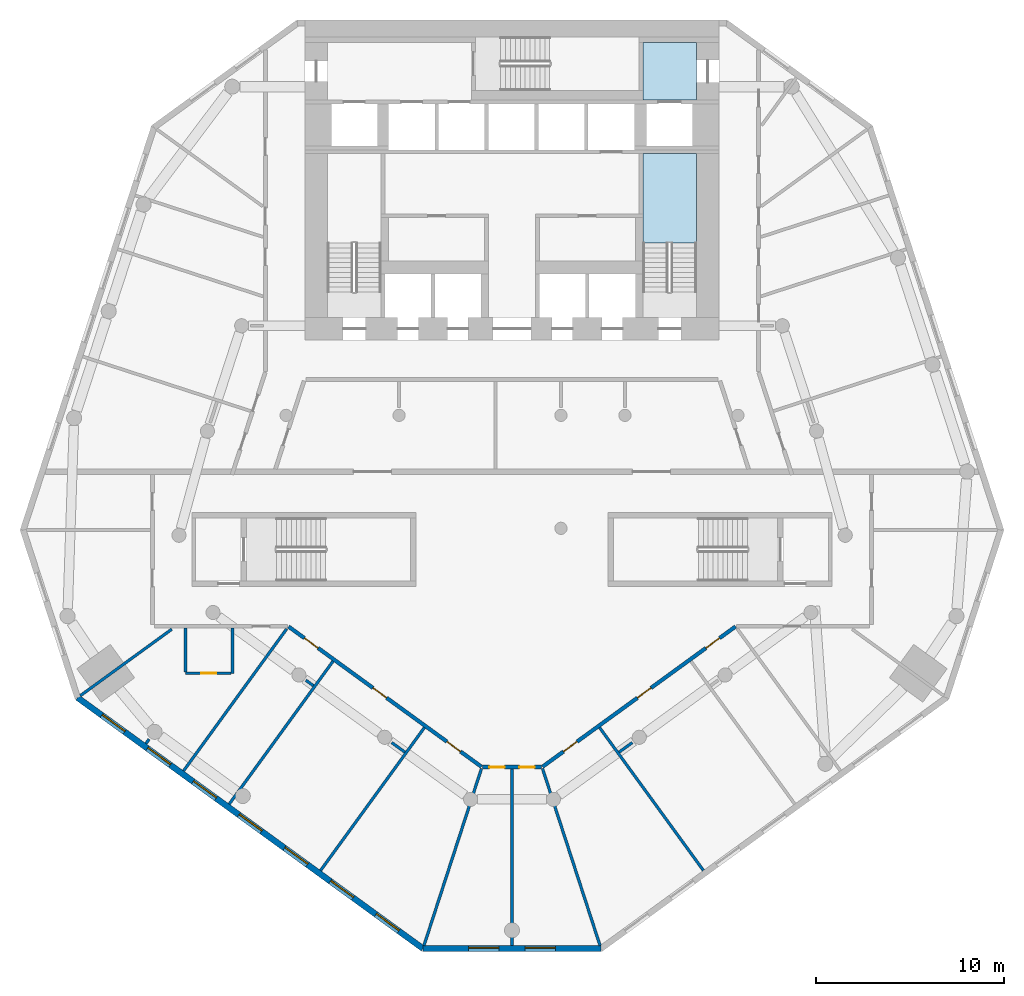
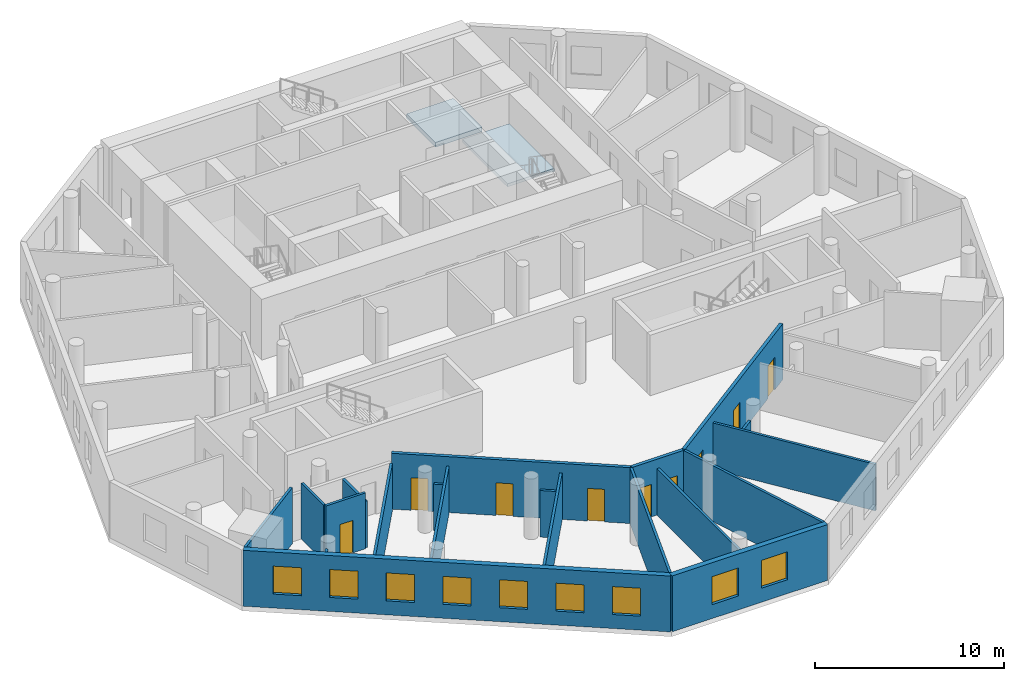
# One storey, part 2 of 9: 20 walls, 9 doors, 9 windows, 2 slabs, 18 openings, 1 element without a shape of its own.
"""IFC4 building model written with IfcOpenShell, lengths in metres."""

from ifc_helpers import new_model, si_unit, direction, frame, frame_2d, origin, place, context, subcontext, project, spatial, polyline, rectangle, outline, extrude, material, layer, layer_set, type_object, element, fill, aggregate, save


model = new_model("IFC4")

# Units and contexts
model_context = context("Model", 3, precision=1e-05, world=origin(), true_north=direction((0.0, 1.0)))
body_context = subcontext(model_context, "Body", "Model", "MODEL_VIEW")
ifc_project = project(units=[si_unit("LENGTHUNIT", "METRE"), si_unit("AREAUNIT", "SQUARE_METRE"), si_unit("VOLUMEUNIT", "CUBIC_METRE"), si_unit("PLANEANGLEUNIT", "RADIAN"), si_unit("MASSUNIT", "GRAM", prefix="KILO")], contexts=[model_context])

# Site, building, storey
site_placement = place(None, origin())
site = spatial("IfcSite", under=ifc_project, at=site_placement, CompositionType="ELEMENT")
building_placement = place(site_placement, origin())
building = spatial("IfcBuilding", under=site, at=building_placement, Name="White Candle Pilgrim Tower", CompositionType="ELEMENT")
storey_placement = place(building_placement, frame((0.0, 0.0, 70.199951171875)))
storey = spatial("IfcBuildingStorey", under=building, at=storey_placement, Name="L14", CompositionType="ELEMENT", Elevation=70.199951171875)

# Slab
ifc_material_1 = material(Name="Concrete C40/50", Category="concrete")
ifc_layer_1 = layer(ifc_material_1, 0.300048828125)
ifc_layer_set_1 = layer_set([ifc_layer_1], Name="Core floor slab 300 mm Concrete C40/50")
slab_type_1 = type_object("IfcSlabType", Name="Core floor slab 300 mm Concrete C40/50", PredefinedType="FLOOR", material=ifc_layer_set_1)
slab_1_placement = place(storey_placement, frame((0.0, 0.0, -0.300048828125)))
element("IfcSlab", 1, at=slab_1_placement, inside=storey, type_object=slab_type_1, Name="CF-L14-06", PredefinedType="FLOOR", context=body_context, shape_type="SweptSolid", body=[
    extrude(outline(polyline([(79.800048828125, 86.800048828125), (79.800048828125, 83.75), (76.949951171875, 83.75), (76.949951171875, 84.25), (76.949951171875, 86.800048828125), (79.800048828125, 86.800048828125)])), origin(), (0.0, 0.0, 1.0), 0.300048828125),
])

# Stair, slab
stair_type = type_object("IfcStairType", Name="Exit stair 2 flight width 1350 mm", PredefinedType="HALF_TURN_STAIR", material=ifc_material_1)
stair_placement = place(storey_placement, origin())
stair = element("IfcStair", 2, at=stair_placement, inside=storey, type_object=stair_type, Name="L14 stair 2", PredefinedType="NOTDEFINED")
ifc_layer_2 = layer(ifc_material_1, 0.199951171875)
ifc_layer_set_2 = layer_set([ifc_layer_2], Name="Stair landing Concrete C40/50")
slab_type_2 = type_object("IfcSlabType", Name="Stair landing Concrete C40/50", PredefinedType="LANDING", material=ifc_layer_set_2)
slab_2_placement = place(storey_placement, frame((0.0, 0.0, 1.75)))
slab_2 = element("IfcSlab", 3, at=slab_2_placement, type_object=slab_type_2, Name="ST2 landing 1", PredefinedType="LANDING", context=body_context, shape_type="SweptSolid", body=[
    extrude(outline(polyline([(79.802001953125, 76.14794921875), (76.947998046875, 76.14794921875), (76.947998046875, 80.902099609375), (79.802001953125, 80.902099609375), (79.802001953125, 76.14794921875)])), origin(), (0.0, 0.0, 1.0), 0.199951171875),
])
aggregate(stair, [slab_2])

# Wall, openings, doors
ifc_material_2 = material(Name="Gypsum board on steel studs", Category="steel")
ifc_layer_3 = layer(ifc_material_2, 0.199951171875)
ifc_layer_set_3 = layer_set([ifc_layer_3], Name="Corridor wall 200 mm EI 45")
wall_type_1 = type_object("IfcWallType", Name="Corridor wall 200 mm EI 45", PredefinedType="PARTITIONING", material=ifc_layer_set_3)
wall_1_placement = place(storey_placement, frame((81.87060546875, 55.781005859375, 0.0), z_axis=(0.0, 0.0, 1.0), x_axis=(-0.80902019439, -0.587780847825, 0.0)))
wall_1 = element("IfcWall", 4, at=wall_1_placement, inside=storey, type_object=wall_type_1, Name="WL-L14-P008", PredefinedType="PARTITIONING", context=body_context, shape_type="SweptSolid", body=[
    extrude(rectangle(XDim=12.667236328125, YDim=0.199951171875, at=frame_2d((6.33349609375, 0.0))), origin(), (0.0, 0.0, 1.0), 3.60009765625),
])
opening_1_placement = place(wall_1_placement, frame((10.396484375, 0.0, 0.0)))
opening_1 = element("IfcOpeningElement", 5, at=opening_1_placement, cuts=wall_1, Name="Opening T04-109", PredefinedType="OPENING", context=body_context, shape_type="SweptSolid", body=[
    extrude(rectangle(XDim=0.89990234375, YDim=2.10009765625, at=frame_2d((0.449951171875, 1.050048828125))), frame((0.0, 0.10986328125, 0.0), z_axis=(0.0, -1.0, 0.0), x_axis=(1.0, 0.0, 0.0)), (0.0, 0.0, 1.0), 0.219970703125),
])
opening_2_placement = place(wall_1_placement, frame((5.543701171875, 0.0, 0.0)))
opening_2 = element("IfcOpeningElement", 6, at=opening_2_placement, cuts=wall_1, Name="Opening T04-110", PredefinedType="OPENING", context=body_context, shape_type="SweptSolid", body=[
    extrude(rectangle(XDim=0.89990234375, YDim=2.10009765625, at=frame_2d((0.449951171875, 1.050048828125))), frame((0.0, 0.10986328125, 0.0), z_axis=(0.0, -1.0, 0.0), x_axis=(1.0, 0.0, 0.0)), (0.0, 0.0, 1.0), 0.219970703125),
])
opening_3_placement = place(wall_1_placement, frame((1.043701171875, 0.0, 0.0)))
opening_3 = element("IfcOpeningElement", 7, at=opening_3_placement, cuts=wall_1, Name="Opening T04-111", PredefinedType="OPENING", context=body_context, shape_type="SweptSolid", body=[
    extrude(rectangle(XDim=0.89990234375, YDim=2.10009765625, at=frame_2d((0.449951171875, 1.050048828125))), frame((0.0, 0.10986328125, 0.0), z_axis=(0.0, -1.0, 0.0), x_axis=(1.0, 0.0, 0.0)), (0.0, 0.0, 1.0), 0.219970703125),
])
ifc_material_3 = material(Name="Steel door leaf", Category="steel")
door_type_1 = type_object("IfcDoorType", Name="Fire door 900 x 2100 EI 30", OperationType="NOTDEFINED", PredefinedType="DOOR", material=ifc_material_3)
door_1_placement = place(opening_1_placement, origin())
door_1 = element("IfcDoor", 8, at=door_1_placement, inside=storey, type_object=door_type_1, Name="Door T04-109", OperationType="SINGLE_SWING_LEFT", OverallHeight=2.10009765625, OverallWidth=0.89990234375, PredefinedType="DOOR", context=body_context, shape_type="SweptSolid", body=[
    extrude(rectangle(XDim=0.89990234375, YDim=2.10009765625, at=frame_2d((0.449951171875, 1.050048828125))), frame((0.0, 0.02490234375, 0.0), z_axis=(0.0, -1.0, 0.0), x_axis=(1.0, 0.0, 0.0)), (0.0, 0.0, 1.0), 0.050048828125),
])
fill(opening_1, door_1)
door_2_placement = place(opening_2_placement, origin())
door_2 = element("IfcDoor", 9, at=door_2_placement, inside=storey, type_object=door_type_1, Name="Door T04-110", OperationType="SINGLE_SWING_RIGHT", OverallHeight=2.10009765625, OverallWidth=0.89990234375, PredefinedType="DOOR", context=body_context, shape_type="SweptSolid", body=[
    extrude(rectangle(XDim=0.89990234375, YDim=2.10009765625, at=frame_2d((0.449951171875, 1.050048828125))), frame((0.0, 0.02490234375, 0.0), z_axis=(0.0, -1.0, 0.0), x_axis=(1.0, 0.0, 0.0)), (0.0, 0.0, 1.0), 0.050048828125),
])
fill(opening_2, door_2)
door_3_placement = place(opening_3_placement, origin())
door_3 = element("IfcDoor", 10, at=door_3_placement, inside=storey, type_object=door_type_1, Name="Door T04-111", OperationType="SINGLE_SWING_LEFT", OverallHeight=2.10009765625, OverallWidth=0.89990234375, PredefinedType="DOOR", context=body_context, shape_type="SweptSolid", body=[
    extrude(rectangle(XDim=0.89990234375, YDim=2.10009765625, at=frame_2d((0.449951171875, 1.050048828125))), frame((0.0, 0.02490234375, 0.0), z_axis=(0.0, -1.0, 0.0), x_axis=(1.0, 0.0, 0.0)), (0.0, 0.0, 1.0), 0.050048828125),
])
fill(opening_3, door_3)

wall_2_placement = place(storey_placement, frame((71.563720703125, 48.31640625, 0.0), z_axis=(0.0, 0.0, 1.0), x_axis=(-1.0, 0.0, 0.0)))
wall_2 = element("IfcWall", 11, at=wall_2_placement, inside=storey, type_object=wall_type_1, Name="WL-L14-P009", PredefinedType="PARTITIONING", context=body_context, shape_type="SweptSolid", body=[
    extrude(rectangle(XDim=3.12744140625, YDim=0.199951171875, at=frame_2d((1.563720703125, 0.0))), origin(), (0.0, 0.0, 1.0), 3.60009765625),
])
opening_4_placement = place(wall_2_placement, frame((1.9619140625, 0.0, 0.0)))
opening_4 = element("IfcOpeningElement", 12, at=opening_4_placement, cuts=wall_2, Name="Opening T04-107", PredefinedType="OPENING", context=body_context, shape_type="SweptSolid", body=[
    extrude(rectangle(XDim=0.800048828125, YDim=2.10009765625, at=frame_2d((0.39990234375, 1.050048828125))), frame((0.0, 0.10986328125, 0.0), z_axis=(0.0, -1.0, 0.0), x_axis=(1.0, 0.0, 0.0)), (0.0, 0.0, 1.0), 0.219970703125),
])
opening_5_placement = place(wall_2_placement, frame((0.365478515625, 0.0, 0.0)))
opening_5 = element("IfcOpeningElement", 13, at=opening_5_placement, cuts=wall_2, Name="Opening T04-108", PredefinedType="OPENING", context=body_context, shape_type="SweptSolid", body=[
    extrude(rectangle(XDim=0.800048828125, YDim=2.10009765625, at=frame_2d((0.39990234375, 1.050048828125))), frame((0.0, 0.10986328125, 0.0), z_axis=(0.0, -1.0, 0.0), x_axis=(1.0, 0.0, 0.0)), (0.0, 0.0, 1.0), 0.219970703125),
])
door_type_2 = type_object("IfcDoorType", Name="Fire door 800 x 2100 EI 30", OperationType="NOTDEFINED", PredefinedType="DOOR", material=ifc_material_3)
door_4_placement = place(opening_4_placement, origin())
door_4 = element("IfcDoor", 14, at=door_4_placement, inside=storey, type_object=door_type_2, Name="Door T04-107", OperationType="SINGLE_SWING_LEFT", OverallHeight=2.10009765625, OverallWidth=0.800048828125, PredefinedType="DOOR", context=body_context, shape_type="SweptSolid", body=[
    extrude(rectangle(XDim=0.800048828125, YDim=2.10009765625, at=frame_2d((0.39990234375, 1.050048828125))), frame((0.0, 0.02490234375, 0.0), z_axis=(0.0, -1.0, 0.0), x_axis=(1.0, 0.0, 0.0)), (0.0, 0.0, 1.0), 0.050048828125),
])
fill(opening_4, door_4)
door_5_placement = place(opening_5_placement, origin())
door_5 = element("IfcDoor", 15, at=door_5_placement, inside=storey, type_object=door_type_2, Name="Door T04-108", OperationType="SINGLE_SWING_RIGHT", OverallHeight=2.10009765625, OverallWidth=0.800048828125, PredefinedType="DOOR", context=body_context, shape_type="SweptSolid", body=[
    extrude(rectangle(XDim=0.800048828125, YDim=2.10009765625, at=frame_2d((0.39990234375, 1.050048828125))), frame((0.0, 0.02490234375, 0.0), z_axis=(0.0, -1.0, 0.0), x_axis=(1.0, 0.0, 0.0)), (0.0, 0.0, 1.0), 0.050048828125),
])
fill(opening_5, door_5)

wall_3_placement = place(storey_placement, frame((68.37744140625, 48.33544921875, 0.0), z_axis=(0.0, 0.0, 1.0), x_axis=(-0.80902019439, 0.587780847825, 0.0)))
wall_3 = element("IfcWall", 16, at=wall_3_placement, inside=storey, type_object=wall_type_1, Name="WL-L14-P010", PredefinedType="PARTITIONING", context=body_context, shape_type="SweptSolid", body=[
    extrude(rectangle(XDim=12.667236328125, YDim=0.199951171875, at=frame_2d((6.33349609375, 0.0))), origin(), (0.0, 0.0, 1.0), 3.60009765625),
])
opening_6_placement = place(wall_3_placement, frame((10.723388671875, 0.0, 0.0)))
opening_6 = element("IfcOpeningElement", 17, at=opening_6_placement, cuts=wall_3, Name="Opening T04-104", PredefinedType="OPENING", context=body_context, shape_type="SweptSolid", body=[
    extrude(rectangle(XDim=0.89990234375, YDim=2.10009765625, at=frame_2d((0.449951171875, 1.050048828125))), frame((0.0, 0.10986328125, 0.0), z_axis=(0.0, -1.0, 0.0), x_axis=(1.0, 0.0, 0.0)), (0.0, 0.0, 1.0), 0.219970703125),
])
opening_7_placement = place(wall_3_placement, frame((6.223388671875, 0.0, 0.0)))
opening_7 = element("IfcOpeningElement", 18, at=opening_7_placement, cuts=wall_3, Name="Opening T04-105", PredefinedType="OPENING", context=body_context, shape_type="SweptSolid", body=[
    extrude(rectangle(XDim=0.89990234375, YDim=2.10009765625, at=frame_2d((0.449951171875, 1.050048828125))), frame((0.0, 0.10986328125, 0.0), z_axis=(0.0, -1.0, 0.0), x_axis=(1.0, 0.0, 0.0)), (0.0, 0.0, 1.0), 0.219970703125),
])
opening_8_placement = place(wall_3_placement, frame((1.37060546875, 0.0, 0.0)))
opening_8 = element("IfcOpeningElement", 19, at=opening_8_placement, cuts=wall_3, Name="Opening T04-106", PredefinedType="OPENING", context=body_context, shape_type="SweptSolid", body=[
    extrude(rectangle(XDim=0.89990234375, YDim=2.10009765625, at=frame_2d((0.449951171875, 1.050048828125))), frame((0.0, 0.10986328125, 0.0), z_axis=(0.0, -1.0, 0.0), x_axis=(1.0, 0.0, 0.0)), (0.0, 0.0, 1.0), 0.219970703125),
])
door_6_placement = place(opening_6_placement, origin())
door_6 = element("IfcDoor", 20, at=door_6_placement, inside=storey, type_object=door_type_1, Name="Door T04-104", OperationType="SINGLE_SWING_RIGHT", OverallHeight=2.10009765625, OverallWidth=0.89990234375, PredefinedType="DOOR", context=body_context, shape_type="SweptSolid", body=[
    extrude(rectangle(XDim=0.89990234375, YDim=2.10009765625, at=frame_2d((0.449951171875, 1.050048828125))), frame((0.0, 0.02490234375, 0.0), z_axis=(0.0, -1.0, 0.0), x_axis=(1.0, 0.0, 0.0)), (0.0, 0.0, 1.0), 0.050048828125),
])
fill(opening_6, door_6)
door_7_placement = place(opening_7_placement, origin())
door_7 = element("IfcDoor", 21, at=door_7_placement, inside=storey, type_object=door_type_1, Name="Door T04-105", OperationType="SINGLE_SWING_LEFT", OverallHeight=2.10009765625, OverallWidth=0.89990234375, PredefinedType="DOOR", context=body_context, shape_type="SweptSolid", body=[
    extrude(rectangle(XDim=0.89990234375, YDim=2.10009765625, at=frame_2d((0.449951171875, 1.050048828125))), frame((0.0, 0.02490234375, 0.0), z_axis=(0.0, -1.0, 0.0), x_axis=(1.0, 0.0, 0.0)), (0.0, 0.0, 1.0), 0.050048828125),
])
fill(opening_7, door_7)
door_8_placement = place(opening_8_placement, origin())
door_8 = element("IfcDoor", 22, at=door_8_placement, inside=storey, type_object=door_type_1, Name="Door T04-106", OperationType="SINGLE_SWING_RIGHT", OverallHeight=2.10009765625, OverallWidth=0.89990234375, PredefinedType="DOOR", context=body_context, shape_type="SweptSolid", body=[
    extrude(rectangle(XDim=0.89990234375, YDim=2.10009765625, at=frame_2d((0.449951171875, 1.050048828125))), frame((0.0, 0.02490234375, 0.0), z_axis=(0.0, -1.0, 0.0), x_axis=(1.0, 0.0, 0.0)), (0.0, 0.0, 1.0), 0.050048828125),
])
fill(opening_8, door_8)

# Wall, openings, windows
ifc_material_4 = material(Name="Precast concrete C40/50", Category="concrete")
ifc_layer_4 = layer(ifc_material_4, 0.320068359375)
ifc_layer_set_4 = layer_set([ifc_layer_4], Name="Facade wall EW1 precast concrete C40/50 pier wall with timber-lined reveals")
wall_type_2 = type_object("IfcWallType", Name="Facade wall EW1 precast concrete C40/50 pier wall with timber-lined reveals", PredefinedType="SOLIDWALL", material=ifc_layer_set_4)
wall_4_placement = place(storey_placement, frame((46.926025390625, 52.005126953125, 0.0), z_axis=(0.0, 0.0, 1.0), x_axis=(0.809014870626, -0.58778817537, 0.0)))
wall_4 = element("IfcWall", 23, at=wall_4_placement, inside=storey, type_object=wall_type_2, Name="Facade wall L14 SW", PredefinedType="SOLIDWALL", context=body_context, shape_type="SweptSolid", body=[
    extrude(rectangle(XDim=22.67626953125, YDim=0.320068359375, at=frame_2d((11.338134765625, 0.0))), origin(), (0.0, 0.0, 1.0), 3.60009765625),
])
opening_9_placement = place(wall_4_placement, frame((1.588134765625, 0.0, 0.89990234375)))
opening_9 = element("IfcOpeningElement", 24, at=opening_9_placement, cuts=wall_4, Name="Opening W1", PredefinedType="OPENING", context=body_context, shape_type="SweptSolid", body=[
    extrude(rectangle(XDim=1.5, YDim=1.800048828125, at=frame_2d((0.75, 0.89990234375))), frame((0.0, 0.169921875, 0.0), z_axis=(0.0, -1.0, 0.0), x_axis=(1.0, 0.0, 0.0)), (0.0, 0.0, 1.0), 0.340087890625),
])
opening_10_placement = place(wall_4_placement, frame((4.588134765625, 0.0, 0.89990234375)))
opening_10 = element("IfcOpeningElement", 25, at=opening_10_placement, cuts=wall_4, Name="Opening W1", PredefinedType="OPENING", context=body_context, shape_type="SweptSolid", body=[
    extrude(rectangle(XDim=1.5, YDim=1.800048828125, at=frame_2d((0.75, 0.89990234375))), frame((0.0, 0.169921875, 0.0), z_axis=(0.0, -1.0, 0.0), x_axis=(1.0, 0.0, 0.0)), (0.0, 0.0, 1.0), 0.340087890625),
])
opening_11_placement = place(wall_4_placement, frame((7.588134765625, 0.0, 0.89990234375)))
opening_11 = element("IfcOpeningElement", 26, at=opening_11_placement, cuts=wall_4, Name="Opening W1", PredefinedType="OPENING", context=body_context, shape_type="SweptSolid", body=[
    extrude(rectangle(XDim=1.5, YDim=1.800048828125, at=frame_2d((0.75, 0.89990234375))), frame((0.0, 0.169921875, 0.0), z_axis=(0.0, -1.0, 0.0), x_axis=(1.0, 0.0, 0.0)), (0.0, 0.0, 1.0), 0.340087890625),
])
opening_12_placement = place(wall_4_placement, frame((10.588134765625, 0.0, 0.89990234375)))
opening_12 = element("IfcOpeningElement", 27, at=opening_12_placement, cuts=wall_4, Name="Opening W1", PredefinedType="OPENING", context=body_context, shape_type="SweptSolid", body=[
    extrude(rectangle(XDim=1.5, YDim=1.800048828125, at=frame_2d((0.75, 0.89990234375))), frame((0.0, 0.169921875, 0.0), z_axis=(0.0, -1.0, 0.0), x_axis=(1.0, 0.0, 0.0)), (0.0, 0.0, 1.0), 0.340087890625),
])
opening_13_placement = place(wall_4_placement, frame((13.588134765625, 0.0, 0.89990234375)))
opening_13 = element("IfcOpeningElement", 28, at=opening_13_placement, cuts=wall_4, Name="Opening W1", PredefinedType="OPENING", context=body_context, shape_type="SweptSolid", body=[
    extrude(rectangle(XDim=1.5, YDim=1.800048828125, at=frame_2d((0.75, 0.89990234375))), frame((0.0, 0.169921875, 0.0), z_axis=(0.0, -1.0, 0.0), x_axis=(1.0, 0.0, 0.0)), (0.0, 0.0, 1.0), 0.340087890625),
])
opening_14_placement = place(wall_4_placement, frame((16.588134765625, 0.0, 0.89990234375)))
opening_14 = element("IfcOpeningElement", 29, at=opening_14_placement, cuts=wall_4, Name="Opening W1", PredefinedType="OPENING", context=body_context, shape_type="SweptSolid", body=[
    extrude(rectangle(XDim=1.5, YDim=1.800048828125, at=frame_2d((0.75, 0.89990234375))), frame((0.0, 0.169921875, 0.0), z_axis=(0.0, -1.0, 0.0), x_axis=(1.0, 0.0, 0.0)), (0.0, 0.0, 1.0), 0.340087890625),
])
opening_15_placement = place(wall_4_placement, frame((19.588134765625, 0.0, 0.89990234375)))
opening_15 = element("IfcOpeningElement", 30, at=opening_15_placement, cuts=wall_4, Name="Opening W1", PredefinedType="OPENING", context=body_context, shape_type="SweptSolid", body=[
    extrude(rectangle(XDim=1.5, YDim=1.800048828125, at=frame_2d((0.75, 0.89990234375))), frame((0.0, 0.169921875, 0.0), z_axis=(0.0, -1.0, 0.0), x_axis=(1.0, 0.0, 0.0)), (0.0, 0.0, 1.0), 0.340087890625),
])
ifc_material_5 = material(Name="Timber frame with triple glazing", Category="wood")
window_type_1 = type_object("IfcWindowType", Name="Window W1 1500x1800 timber frame triple glazing", PartitioningType="SINGLE_PANEL", PredefinedType="WINDOW", material=ifc_material_5)
window_1_placement = place(opening_9_placement, origin())
window_1 = element("IfcWindow", 31, at=window_1_placement, inside=storey, type_object=window_type_1, Name="Window W1 L14 SW 1", OverallHeight=1.800048828125, OverallWidth=1.5, PartitioningType="SINGLE_PANEL", PredefinedType="WINDOW", context=body_context, shape_type="SweptSolid", body=[
    extrude(rectangle(XDim=1.5, YDim=1.800048828125, at=frame_2d((0.75, 0.89990234375))), frame((0.0, 0.070068359375, 0.0), z_axis=(0.0, -1.0, 0.0), x_axis=(1.0, 0.0, 0.0)), (0.0, 0.0, 1.0), 0.06005859375),
])
fill(opening_9, window_1)
window_2_placement = place(opening_10_placement, origin())
window_2 = element("IfcWindow", 32, at=window_2_placement, inside=storey, type_object=window_type_1, Name="Window W1 L14 SW 2", OverallHeight=1.800048828125, OverallWidth=1.5, PartitioningType="SINGLE_PANEL", PredefinedType="WINDOW", context=body_context, shape_type="SweptSolid", body=[
    extrude(rectangle(XDim=1.5, YDim=1.800048828125, at=frame_2d((0.75, 0.89990234375))), frame((0.0, 0.070068359375, 0.0), z_axis=(0.0, -1.0, 0.0), x_axis=(1.0, 0.0, 0.0)), (0.0, 0.0, 1.0), 0.06005859375),
])
fill(opening_10, window_2)
window_3_placement = place(opening_11_placement, origin())
window_3 = element("IfcWindow", 33, at=window_3_placement, inside=storey, type_object=window_type_1, Name="Window W1 L14 SW 3", OverallHeight=1.800048828125, OverallWidth=1.5, PartitioningType="SINGLE_PANEL", PredefinedType="WINDOW", context=body_context, shape_type="SweptSolid", body=[
    extrude(rectangle(XDim=1.5, YDim=1.800048828125, at=frame_2d((0.75, 0.89990234375))), frame((0.0, 0.070068359375, 0.0), z_axis=(0.0, -1.0, 0.0), x_axis=(1.0, 0.0, 0.0)), (0.0, 0.0, 1.0), 0.06005859375),
])
fill(opening_11, window_3)
window_4_placement = place(opening_12_placement, origin())
window_4 = element("IfcWindow", 34, at=window_4_placement, inside=storey, type_object=window_type_1, Name="Window W1 L14 SW 4", OverallHeight=1.800048828125, OverallWidth=1.5, PartitioningType="SINGLE_PANEL", PredefinedType="WINDOW", context=body_context, shape_type="SweptSolid", body=[
    extrude(rectangle(XDim=1.5, YDim=1.800048828125, at=frame_2d((0.75, 0.89990234375))), frame((0.0, 0.070068359375, 0.0), z_axis=(0.0, -1.0, 0.0), x_axis=(1.0, 0.0, 0.0)), (0.0, 0.0, 1.0), 0.06005859375),
])
fill(opening_12, window_4)
window_5_placement = place(opening_13_placement, origin())
window_5 = element("IfcWindow", 35, at=window_5_placement, inside=storey, type_object=window_type_1, Name="Window W1 L14 SW 5", OverallHeight=1.800048828125, OverallWidth=1.5, PartitioningType="SINGLE_PANEL", PredefinedType="WINDOW", context=body_context, shape_type="SweptSolid", body=[
    extrude(rectangle(XDim=1.5, YDim=1.800048828125, at=frame_2d((0.75, 0.89990234375))), frame((0.0, 0.070068359375, 0.0), z_axis=(0.0, -1.0, 0.0), x_axis=(1.0, 0.0, 0.0)), (0.0, 0.0, 1.0), 0.06005859375),
])
fill(opening_13, window_5)
window_6_placement = place(opening_14_placement, origin())
window_6 = element("IfcWindow", 36, at=window_6_placement, inside=storey, type_object=window_type_1, Name="Window W1 L14 SW 6", OverallHeight=1.800048828125, OverallWidth=1.5, PartitioningType="SINGLE_PANEL", PredefinedType="WINDOW", context=body_context, shape_type="SweptSolid", body=[
    extrude(rectangle(XDim=1.5, YDim=1.800048828125, at=frame_2d((0.75, 0.89990234375))), frame((0.0, 0.070068359375, 0.0), z_axis=(0.0, -1.0, 0.0), x_axis=(1.0, 0.0, 0.0)), (0.0, 0.0, 1.0), 0.06005859375),
])
fill(opening_14, window_6)
window_7_placement = place(opening_15_placement, origin())
window_7 = element("IfcWindow", 37, at=window_7_placement, inside=storey, type_object=window_type_1, Name="Window W1 L14 SW 7", OverallHeight=1.800048828125, OverallWidth=1.5, PartitioningType="SINGLE_PANEL", PredefinedType="WINDOW", context=body_context, shape_type="SweptSolid", body=[
    extrude(rectangle(XDim=1.5, YDim=1.800048828125, at=frame_2d((0.75, 0.89990234375))), frame((0.0, 0.070068359375, 0.0), z_axis=(0.0, -1.0, 0.0), x_axis=(1.0, 0.0, 0.0)), (0.0, 0.0, 1.0), 0.06005859375),
])
fill(opening_15, window_7)

wall_5_placement = place(storey_placement, frame((65.271484375, 38.67626953125, 0.0), z_axis=(0.0, 0.0, 1.0), x_axis=(1.0, 0.0, 0.0)))
wall_5 = element("IfcWall", 38, at=wall_5_placement, inside=storey, type_object=wall_type_2, Name="Facade wall L14 S chamfer", PredefinedType="SOLIDWALL", context=body_context, shape_type="SweptSolid", body=[
    extrude(rectangle(XDim=9.45703125, YDim=0.320068359375, at=frame_2d((4.728515625, 0.0))), origin(), (0.0, 0.0, 1.0), 3.60009765625),
])
opening_16_placement = place(wall_5_placement, frame((2.4287109375, 0.0, 0.89990234375)))
opening_16 = element("IfcOpeningElement", 39, at=opening_16_placement, cuts=wall_5, Name="Opening W2", PredefinedType="OPENING", context=body_context, shape_type="SweptSolid", body=[
    extrude(rectangle(XDim=1.60009765625, YDim=1.800048828125, at=frame_2d((0.800048828125, 0.89990234375))), frame((0.0, 0.169921875, 0.0), z_axis=(0.0, -1.0, 0.0), x_axis=(1.0, 0.0, 0.0)), (0.0, 0.0, 1.0), 0.340087890625),
])
opening_17_placement = place(wall_5_placement, frame((5.4287109375, 0.0, 0.89990234375)))
opening_17 = element("IfcOpeningElement", 40, at=opening_17_placement, cuts=wall_5, Name="Opening W2", PredefinedType="OPENING", context=body_context, shape_type="SweptSolid", body=[
    extrude(rectangle(XDim=1.60009765625, YDim=1.800048828125, at=frame_2d((0.800048828125, 0.89990234375))), frame((0.0, 0.169921875, 0.0), z_axis=(0.0, -1.0, 0.0), x_axis=(1.0, 0.0, 0.0)), (0.0, 0.0, 1.0), 0.340087890625),
])
window_type_2 = type_object("IfcWindowType", Name="Window W2 1600x1800 timber frame triple glazing", PartitioningType="SINGLE_PANEL", PredefinedType="WINDOW", material=ifc_material_5)
window_8_placement = place(opening_16_placement, origin())
window_8 = element("IfcWindow", 41, at=window_8_placement, inside=storey, type_object=window_type_2, Name="Window W2 L14 S chamfer 1", OverallHeight=1.800048828125, OverallWidth=1.60009765625, PartitioningType="SINGLE_PANEL", PredefinedType="WINDOW", context=body_context, shape_type="SweptSolid", body=[
    extrude(rectangle(XDim=1.60009765625, YDim=1.800048828125, at=frame_2d((0.800048828125, 0.89990234375))), frame((0.0, 0.070068359375, 0.0), z_axis=(0.0, -1.0, 0.0), x_axis=(1.0, 0.0, 0.0)), (0.0, 0.0, 1.0), 0.06005859375),
])
fill(opening_16, window_8)
window_9_placement = place(opening_17_placement, origin())
window_9 = element("IfcWindow", 42, at=window_9_placement, inside=storey, type_object=window_type_2, Name="Window W2 L14 S chamfer 2", OverallHeight=1.800048828125, OverallWidth=1.60009765625, PartitioningType="SINGLE_PANEL", PredefinedType="WINDOW", context=body_context, shape_type="SweptSolid", body=[
    extrude(rectangle(XDim=1.60009765625, YDim=1.800048828125, at=frame_2d((0.800048828125, 0.89990234375))), frame((0.0, 0.070068359375, 0.0), z_axis=(0.0, -1.0, 0.0), x_axis=(1.0, 0.0, 0.0)), (0.0, 0.0, 1.0), 0.06005859375),
])
fill(opening_17, window_9)

# Walls
ifc_layer_5 = layer(ifc_material_2, 0.14990234375)
ifc_layer_set_5 = layer_set([ifc_layer_5], Name="Partition 150 mm EI 60")
wall_type_3 = type_object("IfcWallType", Name="Partition 150 mm EI 60", PredefinedType="PARTITIONING", material=ifc_layer_set_5)
wall_6_placement = place(storey_placement, frame((47.06201171875, 52.10400390625, 0.0), z_axis=(0.0, 0.0, 1.0), x_axis=(0.809025596287, 0.587773412594, 0.0)))
element("IfcWall", 43, at=wall_6_placement, inside=storey, type_object=wall_type_3, Name="WL-L14-P018", PredefinedType="PARTITIONING", context=body_context, shape_type="SweptSolid", body=[
    extrude(rectangle(XDim=6.014892578125, YDim=0.14990234375, at=frame_2d((3.00732421875, 0.0))), origin(), (0.0, 0.0, 1.0), 3.60009765625),
])
for number, where, z_axis, x_axis, name in (
    (44, (65.323486328125, 38.836181640625, 0.0), (0.0, 0.0, 1.0), (0.309015131176, 0.951057121683, 0.0), "WL-L14-P019"),
    (45, (74.676513671875, 38.836181640625, 0.0), (0.0, 0.0, 1.0), (-0.309015131176, 0.951057121683, 0.0), "WL-L14-P020"),
):
    element("IfcWall", number, at=place(storey_placement, frame(where, z_axis=z_axis, x_axis=x_axis)), inside=storey, type_object=wall_type_3, Name=name, PredefinedType="PARTITIONING", context=body_context, shape_type="SweptSolid", body=[
        extrude(rectangle(XDim=9.8828125, YDim=0.14990234375, at=frame_2d((4.94140625, 0.0))), origin(), (0.0, 0.0, 1.0), 3.60009765625),
    ])
wall_7_placement = place(storey_placement, frame((52.55224609375, 48.114990234375, 0.0), z_axis=(0.0, 0.0, 1.0), x_axis=(0.587777613272, 0.809022544393, 0.0)))
element("IfcWall", 46, at=wall_7_placement, inside=storey, type_object=wall_type_3, Name="WL-L14-P027", PredefinedType="PARTITIONING", context=body_context, shape_type="SweptSolid", body=[
    extrude(rectangle(XDim=9.321044921875, YDim=0.14990234375, at=frame_2d((4.66064453125, 0.0))), origin(), (0.0, 0.0, 1.0), 3.0),
])
for number, where, z_axis, x_axis, name in (
    (47, (54.979248046875, 46.351806640625, 0.0), (0.0, 0.0, 1.0), (0.587795561305, 0.809009504339, 0.0), "WL-L14-P028"),
    (48, (59.833251953125, 42.8251953125, 0.0), (0.0, 0.0, 1.0), (0.587795561305, 0.809009504339, 0.0), "WL-L14-P029"),
):
    element("IfcWall", number, at=place(storey_placement, frame(where, z_axis=z_axis, x_axis=x_axis)), inside=storey, type_object=wall_type_3, Name=name, PredefinedType="PARTITIONING", context=body_context, shape_type="SweptSolid", body=[
        extrude(rectangle(XDim=9.3798828125, YDim=0.14990234375, at=frame_2d((4.68994140625, 0.0))), origin(), (0.0, 0.0, 1.0), 3.0),
    ])
wall_8_placement = place(storey_placement, frame((55.1494140625, 55.699951171875, 0.0), z_axis=(0.0, 0.0, 1.0), x_axis=(0.0, -1.0, 0.0)))
element("IfcWall", 49, at=wall_8_placement, inside=storey, type_object=wall_type_3, Name="WL-L14-P030", PredefinedType="PARTITIONING", context=body_context, shape_type="SweptSolid", body=[
    extrude(rectangle(XDim=2.39990234375, YDim=0.14990234375, at=frame_2d((1.199951171875, 0.0))), origin(), (0.0, 0.0, 1.0), 3.0),
])

# Wall, opening, door
wall_9_placement = place(storey_placement, frame((52.6494140625, 53.300048828125, 0.0), z_axis=(0.0, 0.0, 1.0), x_axis=(1.0, 0.0, 0.0)))
wall_9 = element("IfcWall", 50, at=wall_9_placement, inside=storey, type_object=wall_type_3, Name="WL-L14-P031", PredefinedType="PARTITIONING", context=body_context, shape_type="SweptSolid", body=[
    extrude(rectangle(XDim=2.425048828125, YDim=0.14990234375, at=frame_2d((1.21240234375, 0.0))), origin(), (0.0, 0.0, 1.0), 3.60009765625),
])
opening_18_placement = place(wall_9_placement, frame((0.85009765625, 0.0, 0.0)))
opening_18 = element("IfcOpeningElement", 51, at=opening_18_placement, cuts=wall_9, Name="Opening T04-102", PredefinedType="OPENING", context=body_context, shape_type="SweptSolid", body=[
    extrude(rectangle(XDim=0.800048828125, YDim=2.10009765625, at=frame_2d((0.39990234375, 1.050048828125))), frame((0.0, 0.0849609375, 0.0), z_axis=(0.0, -1.0, 0.0), x_axis=(1.0, 0.0, 0.0)), (0.0, 0.0, 1.0), 0.169921875),
])
door_9_placement = place(opening_18_placement, frame((0.800048828125, 0.0, 0.0), z_axis=(0.0, 0.0, 1.0), x_axis=(-1.0, 0.0, 0.0)))
door_9 = element("IfcDoor", 52, at=door_9_placement, inside=storey, type_object=door_type_2, Name="Door T04-102", OperationType="SINGLE_SWING_LEFT", OverallHeight=2.10009765625, OverallWidth=0.800048828125, PredefinedType="DOOR", context=body_context, shape_type="SweptSolid", body=[
    extrude(rectangle(XDim=0.800048828125, YDim=2.10009765625, at=frame_2d((0.39990234375, 1.050048828125))), frame((0.0, 0.02490234375, 0.0), z_axis=(0.0, -1.0, 0.0), x_axis=(1.0, 0.0, 0.0)), (0.0, 0.0, 1.0), 0.050048828125),
])
fill(opening_18, door_9)

# Walls
wall_10_placement = place(storey_placement, frame((52.6494140625, 55.699951171875, 0.0), z_axis=(0.0, 0.0, 1.0), x_axis=(0.0, -1.0, 0.0)))
element("IfcWall", 53, at=wall_10_placement, inside=storey, type_object=wall_type_3, Name="WL-L14-P032", PredefinedType="PARTITIONING", context=body_context, shape_type="SweptSolid", body=[
    extrude(rectangle(XDim=2.324951171875, YDim=0.14990234375, at=frame_2d((1.16259765625, 0.0))), origin(), (0.0, 0.0, 1.0), 3.60009765625),
])
wall_11_placement = place(storey_placement, frame((70.0, 38.836181640625, 0.0), z_axis=(0.0, 0.0, 1.0), x_axis=(0.0, 1.0, 0.0)))
element("IfcWall", 54, at=wall_11_placement, inside=storey, type_object=wall_type_3, Name="WL-L14-P033", PredefinedType="PARTITIONING", context=body_context, shape_type="SweptSolid", body=[
    extrude(rectangle(XDim=9.380126953125, YDim=0.14990234375, at=frame_2d((4.68994140625, 0.0))), origin(), (0.0, 0.0, 1.0), 3.0),
])
wall_12_placement = place(storey_placement, frame((80.166748046875, 42.8251953125, 0.0), z_axis=(0.0, 0.0, 1.0), x_axis=(-0.587795561305, 0.809009504339, 0.0)))
element("IfcWall", 55, at=wall_12_placement, inside=storey, type_object=wall_type_3, Name="WL-L14-P034", PredefinedType="PARTITIONING", context=body_context, shape_type="SweptSolid", body=[
    extrude(rectangle(XDim=9.3798828125, YDim=0.14990234375, at=frame_2d((4.68994140625, 0.0))), origin(), (0.0, 0.0, 1.0), 3.0),
])
wall_13_placement = place(storey_placement, frame((50.72412109375, 49.799560546875, 0.0), z_axis=(0.0, 0.0, 1.0), x_axis=(-0.587869457187, -0.808955809242, 0.0)))
element("IfcWall", 56, at=wall_13_placement, inside=storey, type_object=wall_type_3, Name="WL-L14-P042", PredefinedType="PARTITIONING", context=body_context, shape_type="SweptSolid", body=[
    extrude(rectangle(XDim=0.288330078125, YDim=0.14990234375, at=frame_2d((0.14404296875, 0.0))), origin(), (0.0, 0.0, 1.0), 3.60009765625),
])
wall_14_placement = place(storey_placement, frame((59.050537109375, 52.92919921875, 0.0), z_axis=(0.0, 0.0, 1.0), x_axis=(0.809096851656, -0.587675322471, 0.0)))
element("IfcWall", 57, at=wall_14_placement, inside=storey, type_object=wall_type_3, Name="WL-L14-P043", PredefinedType="PARTITIONING", context=body_context, shape_type="SweptSolid", body=[
    extrude(rectangle(XDim=0.497314453125, YDim=0.14990234375, at=frame_2d((0.24853515625, 0.0))), origin(), (0.0, 0.0, 1.0), 3.0),
])
for number, where, z_axis, x_axis, name in (
    (58, (63.610595703125, 49.619140625, 0.0), (0.0, 0.0, 1.0), (0.809041900019, -0.587750971087, 0.0), "WL-L14-P044"),
    (59, (76.389404296875, 49.619140625, 0.0), (0.0, 0.0, 1.0), (-0.809041900019, -0.587750971087, 0.0), "WL-L14-P045"),
):
    element("IfcWall", number, at=place(storey_placement, frame(where, z_axis=z_axis, x_axis=x_axis)), inside=storey, type_object=wall_type_3, Name=name, PredefinedType="PARTITIONING", context=body_context, shape_type="SweptSolid", body=[
        extrude(rectangle(XDim=0.86279296875, YDim=0.14990234375, at=frame_2d((0.431396484375, 0.0))), origin(), (0.0, 0.0, 1.0), 3.0),
    ])

save(model, "model.ifc")
